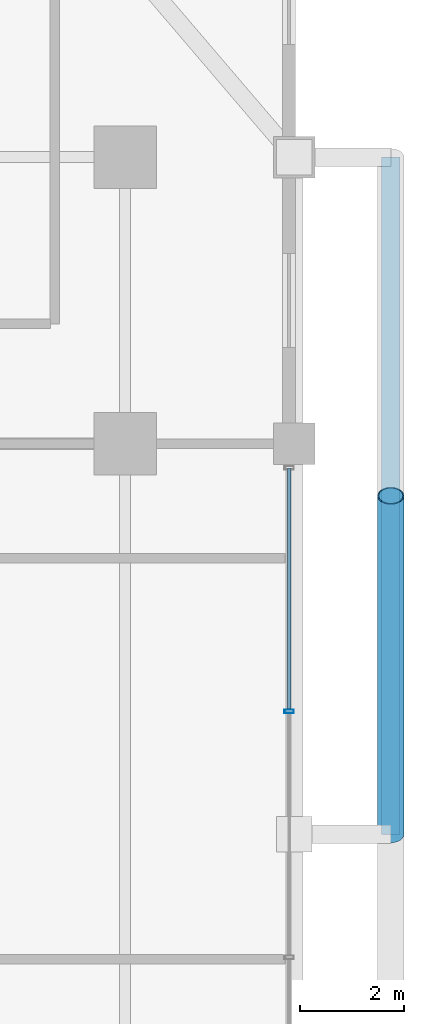
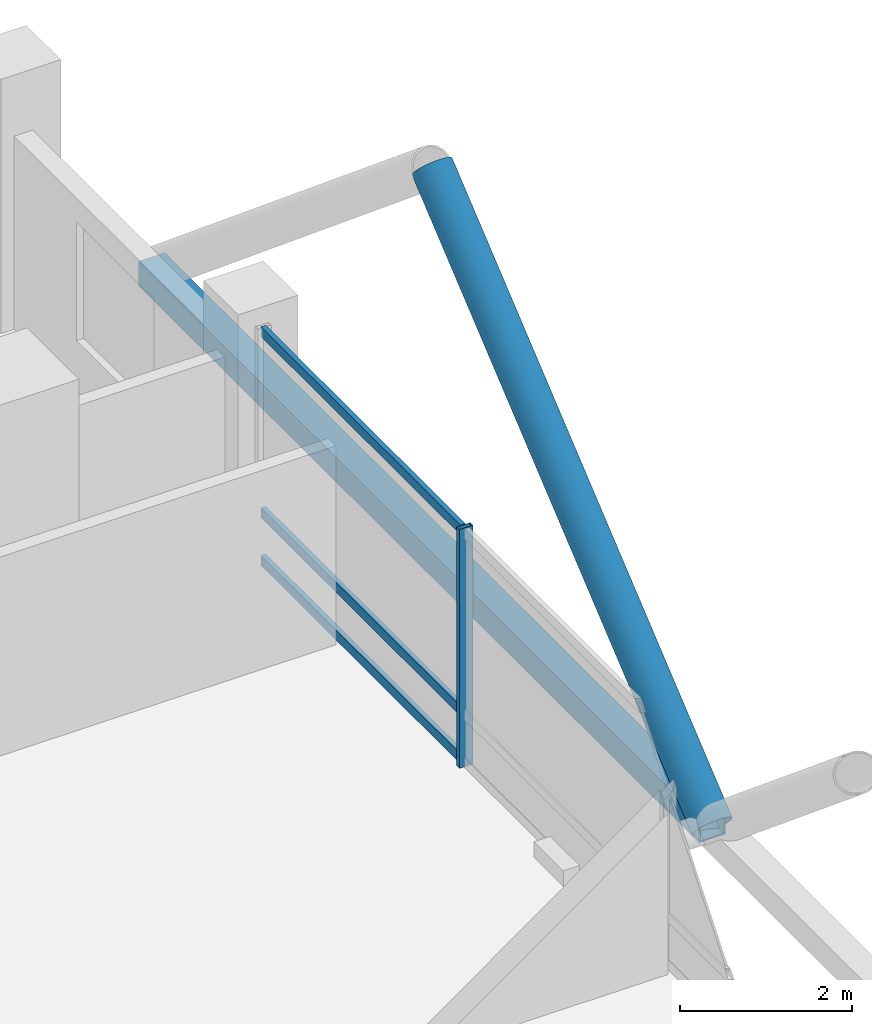
# One storey, part 11 of 25: 6 members, 1 element without a shape of its own.
"""IFC4 building model written with IfcOpenShell, lengths in metres."""

import ifcopenshell
import ifcopenshell.guid

model = None  # the IFC model being written
_history = None  # IfcOwnerHistory: only IFC2X3 demands one
_inside = {}  # id of a spatial element -> (the spatial element, [elements in it])
_under = {}  # id of a project, library or spatial element -> (it, [spatial elements below it])
_declared = {}  # id of a project -> (the project, [libraries it declares])
_typed = {}  # id of a type object -> (the type object, [elements of that type])
_made_of = {}  # id of a material, layer set ... -> (it, [elements and type objects made of it])


def new_model(schema):
    """Start an empty IFC model of exactly this schema.

    Asked for "IFC4X3", IfcOpenShell would pick the latest addendum, in which some entities
    have other attributes; the version numbers below select the first issue.
    IFC2X3 requires an IfcOwnerHistory on every rooted entity: one is made here for all.
    """
    global model, _history
    if schema == "IFC4X3":
        model = ifcopenshell.file(schema_version=(4, 3, 0, 0))
    else:
        model = ifcopenshell.file(schema=schema)
    _inside.clear()
    _under.clear()
    _declared.clear()
    _typed.clear()
    _made_of.clear()
    _history = None
    if model.schema == "IFC2X3":
        org = make("IfcOrganization", Name="unknown")
        user = make(
            "IfcPersonAndOrganization",
            ThePerson=make("IfcPerson", FamilyName="unknown"),
            TheOrganization=org,
        )
        app = make(
            "IfcApplication",
            ApplicationDeveloper=org,
            Version="unknown",
            ApplicationFullName="unknown",
            ApplicationIdentifier="unknown",
        )
        _history = make(
            "IfcOwnerHistory",
            OwningUser=user,
            OwningApplication=app,
            ChangeAction="ADDED",
            CreationDate=0,
        )
    return model


def make(cls, **values):
    """One entity of the class cls with the attributes given. An attribute that is None is left unset."""
    return model.create_entity(
        cls, **{name: value for name, value in values.items() if value is not None}
    )


def rooted(cls, **values):
    """An entity with a GlobalId (a new one), such as an element, a storey or a relation."""
    return make(cls, GlobalId=ifcopenshell.guid.new(), OwnerHistory=_history, **values)


def si_unit(unit_type, name, prefix=None):
    """IfcSIUnit, for example si_unit("LENGTHUNIT", "METRE", prefix="MILLI")."""
    return make("IfcSIUnit", UnitType=unit_type, Prefix=prefix, Name=name)


def assignment(units):
    """IfcUnitAssignment: the units of a project."""
    return None if units is None else make("IfcUnitAssignment", Units=units)


def point(xyz):
    """IfcCartesianPoint."""
    return None if xyz is None else make("IfcCartesianPoint", Coordinates=xyz)


def direction(xyz):
    """IfcDirection."""
    return None if xyz is None else make("IfcDirection", DirectionRatios=xyz)


def frame(location, z_axis=None, x_axis=None):
    """IfcAxis2Placement3D, a coordinate frame: its origin and axes. An axis left out is left unset."""
    return make(
        "IfcAxis2Placement3D",
        Location=point(location),
        Axis=direction(z_axis),
        RefDirection=direction(x_axis),
    )


def frame_2d(location, x_axis=None):
    """IfcAxis2Placement2D, a coordinate frame in the plane: its origin and x axis."""
    return make(
        "IfcAxis2Placement2D", Location=point(location), RefDirection=direction(x_axis)
    )


def origin():
    """The frame at (0, 0, 0) with its axes left unset."""
    return frame((0.0, 0.0, 0.0))


def origin_2d():
    """The frame at (0, 0) in the plane with its x axis left unset."""
    return frame_2d((0.0, 0.0))


def place(relative_to, where):
    """IfcLocalPlacement: puts the frame where relative to a parent placement (None: the world)."""
    return make(
        "IfcLocalPlacement", PlacementRelTo=relative_to, RelativePlacement=where
    )


def context(
    kind, dimensions, precision=None, world=None, true_north=None, identifier=None
):
    """IfcGeometricRepresentationContext, for example the 3D "Model" context."""
    return make(
        "IfcGeometricRepresentationContext",
        ContextIdentifier=identifier,
        ContextType=kind,
        CoordinateSpaceDimension=dimensions,
        Precision=precision,
        WorldCoordinateSystem=world,
        TrueNorth=true_north,
    )


def subcontext(parent, identifier, kind, view, scale=None):
    """IfcGeometricRepresentationSubContext, for example "Body" below "Model"."""
    return make(
        "IfcGeometricRepresentationSubContext",
        ContextIdentifier=identifier,
        ContextType=kind,
        ParentContext=parent,
        TargetScale=scale,
        TargetView=view,
    )


def project(units=None, contexts=None):
    """IfcProject with its units and contexts."""
    return rooted(
        "IfcProject",
        Name="project",
        RepresentationContexts=contexts,
        UnitsInContext=assignment(units),
    )


def spatial(cls, under=None, at=None, **own):
    """A site, building, storey or space (cls), placed at a placement, below another one or the project."""
    s = rooted(cls, ObjectPlacement=at, **own)
    if under is not None:
        _under.setdefault(under.id(), (under, []))[1].append(s)
    return s


def profile(cls, at=None, kind="AREA", **sizes):
    """A parametric profile (cls). Its sizes go by their IFC names, for example OverallWidth=200.0."""
    return make(cls, ProfileType=kind, Position=at, **sizes)


def hollow_rectangle(**sizes):
    """IfcRectangleHollowProfileDef."""
    return profile("IfcRectangleHollowProfileDef", **sizes)


def hollow_circle(**sizes):
    """IfcCircleHollowProfileDef."""
    return profile("IfcCircleHollowProfileDef", **sizes)


def extrude(swept, where, along, depth):
    """IfcExtrudedAreaSolid: the profile swept, set in the frame where, extruded along a direction by depth."""
    return make(
        "IfcExtrudedAreaSolid",
        SweptArea=swept,
        Position=where,
        ExtrudedDirection=direction(along),
        Depth=depth,
    )


def shape(context_of_items, identifier, shape_type, items):
    """IfcShapeRepresentation: the items that make up one representation, for example the "Body"."""
    return make(
        "IfcShapeRepresentation",
        ContextOfItems=context_of_items,
        RepresentationIdentifier=identifier,
        RepresentationType=shape_type,
        Items=items,
    )


def material(Name=None, Category=None):
    """IfcMaterial."""
    return make("IfcMaterial", Name=Name, Category=Category)


def layer(
    of_material, thickness, ventilated=None, Name=None, Category=None, Priority=None
):
    """IfcMaterialLayer: one layer of a wall or slab, of a material (None: an air gap)."""
    return make(
        "IfcMaterialLayer",
        Material=of_material,
        LayerThickness=thickness,
        IsVentilated=ventilated,
        Name=Name,
        Category=Category,
        Priority=Priority,
    )


def layer_set(layers, Name=None):
    """IfcMaterialLayerSet."""
    return make("IfcMaterialLayerSet", MaterialLayers=layers, LayerSetName=Name)


def material_profile(
    of_material, cross_section, Name=None, Category=None, Priority=None
):
    """IfcMaterialProfile: a cross section and its material."""
    return make(
        "IfcMaterialProfile",
        Name=Name,
        Material=of_material,
        Profile=cross_section,
        Priority=Priority,
        Category=Category,
    )


def profile_set(profiles, Name=None, composite=None):
    """IfcMaterialProfileSet."""
    return make(
        "IfcMaterialProfileSet",
        Name=Name,
        MaterialProfiles=profiles,
        CompositeProfile=composite,
    )


def made_of(thing, what):
    """Note that an element or type object is made of a material, layer set ...; save() writes the relation."""
    if what is not None:
        _made_of.setdefault(what.id(), (what, []))[1].append(thing)
    return thing


def type_object(cls, material=None, **own):
    """A type object (cls), such as IfcWallType, which elements share."""
    return made_of(rooted(cls, **own), material)


def element(
    cls,
    number,
    at=None,
    inside=None,
    cuts=None,
    type_object=None,
    material=None,
    context=None,
    identifier="Body",
    shape_type=None,
    held_by="IfcProductDefinitionShape",
    body=None,
    shapes=None,
    **own,
):
    """One element of the class cls, such as IfcWall. Its Tag is "e" and its number.

    at: its placement. inside: the storey or other place that contains it. cuts: it is an
    opening in that element (IfcRelVoidsElement). A single representation is given by context,
    identifier, shape_type and body (its items); several are given by shapes. held_by: the class
    of the entity that holds the representations. save() writes the other relations.
    """
    e = rooted(cls, Tag="e%d" % number, ObjectPlacement=at, **own)
    if body is not None:
        shapes = [shape(context, identifier, shape_type, body)]
    if shapes is not None:
        e.Representation = make(held_by, Representations=shapes)
    if inside is not None:
        _inside.setdefault(inside.id(), (inside, []))[1].append(e)
    if cuts is not None:
        rooted(
            "IfcRelVoidsElement", RelatingBuildingElement=cuts, RelatedOpeningElement=e
        )
    if type_object is not None:
        _typed.setdefault(type_object.id(), (type_object, []))[1].append(e)
    return made_of(e, material)


def aggregate(whole, parts):
    """IfcRelAggregates: a whole, such as a stair, and the parts it consists of."""
    return rooted("IfcRelAggregates", RelatingObject=whole, RelatedObjects=parts)


def save(model, path):
    """Write the relations noted so far, then the file.

    IfcRelAggregates (storeys below a building ...), IfcRelContainedInSpatialStructure (elements
    in a storey), IfcRelDefinesByType, IfcRelAssociatesMaterial and IfcRelDeclares: one each for
    every whole, place, type object, material and project.
    """
    for whole, parts in _under.values():
        aggregate(whole, parts)
    for where, things in _inside.values():
        rooted(
            "IfcRelContainedInSpatialStructure",
            RelatedElements=things,
            RelatingStructure=where,
        )
    for kind, things in _typed.values():
        rooted("IfcRelDefinesByType", RelatedObjects=things, RelatingType=kind)
    for what, things in _made_of.values():
        rooted("IfcRelAssociatesMaterial", RelatedObjects=things, RelatingMaterial=what)
    for by, libraries in _declared.values():
        rooted("IfcRelDeclares", RelatingContext=by, RelatedDefinitions=libraries)
    model.write(path)


model = new_model("IFC4")

# Units and contexts
model_context = context("Model", 3, precision=1e-05, world=origin(), true_north=direction((0.0, 1.0)))
body_context = subcontext(model_context, "Body", "Model", "MODEL_VIEW")
ifc_project = project(units=[si_unit("LENGTHUNIT", "METRE"), si_unit("AREAUNIT", "SQUARE_METRE"), si_unit("VOLUMEUNIT", "CUBIC_METRE"), si_unit("PLANEANGLEUNIT", "RADIAN"), si_unit("MASSUNIT", "GRAM", prefix="KILO")], contexts=[model_context])

# Site, building, storey
site_placement = place(None, origin())
site = spatial("IfcSite", under=ifc_project, at=site_placement, CompositionType="ELEMENT")
building_placement = place(site_placement, origin())
building = spatial("IfcBuilding", under=site, at=building_placement, Name="Barlavira Tower and Art Museum", CompositionType="ELEMENT")
storey_placement = place(building_placement, frame((0.0, 0.0, 133.199951171875)))
storey = spatial("IfcBuildingStorey", under=building, at=storey_placement, Name="L33", CompositionType="ELEMENT", Elevation=133.199951171875)

# Curtain wall, members
ifc_material_1 = material(Name="Low-iron coastal laminated glass", Category="glass")
ifc_layer = layer(ifc_material_1, 0.18994140625, Name="Low-iron coastal laminated glass")
ifc_layer_set = layer_set([ifc_layer], Name="Low-iron coastal laminated glass")
curtain_wall_type = type_object("IfcCurtainWallType", Name="Pale-Metal Unitised Curtain Wall Zone 2", PredefinedType="NOTDEFINED", material=ifc_layer_set)
curtain_wall_placement = place(storey_placement, origin())
curtain_wall = element("IfcCurtainWall", 1, at=curtain_wall_placement, inside=storey, type_object=curtain_wall_type, Name="L33 Curtain Wall CW2-L33-E-B3", PredefinedType="NOTDEFINED")
ifc_material_2 = material(Name="Pale anodised aluminium", Category="aluminium")
ifc_material_profile_1 = material_profile(ifc_material_2, hollow_rectangle(XDim=0.06494140625, YDim=0.179931640625, WallThickness=0.00390625, at=origin_2d()), Name="ALU-MULL 65x180x4")
ifc_profile_set_1 = profile_set([ifc_material_profile_1], Name="Pale anodised aluminium")
member_type_1 = type_object("IfcMemberType", Name="Curtain Wall Pale-Metal Mullion 65x180", PredefinedType="MULLION", material=ifc_profile_set_1)
member_1_placement = place(storey_placement, frame((20.14990234375, 2.360107421875, 0.0), z_axis=(0.0, 0.0, 1.0), x_axis=(0.0, 1.0, 0.0)))
member_1 = element("IfcMember", 2, at=member_1_placement, type_object=member_type_1, Name="CW2-L33-E-B3 Mullion 2", PredefinedType="MULLION", context=body_context, shape_type="SweptSolid", body=[
    extrude(hollow_rectangle(XDim=0.06494140625, YDim=0.179931640625, WallThickness=0.00390625, at=origin_2d()), origin(), (0.0, 0.0, 1.0), 3.380126953125),
])
ifc_material_profile_2 = material_profile(ifc_material_2, hollow_rectangle(XDim=0.06494140625, YDim=0.139892578125, WallThickness=0.00390625, at=origin_2d()), Name="ALU-TRAN 65x140x4")
ifc_profile_set_2 = profile_set([ifc_material_profile_2], Name="Pale anodised aluminium")
member_type_2 = type_object("IfcMemberType", Name="Curtain Wall Pale-Metal Transom 65x140", PredefinedType="USERDEFINED", material=ifc_profile_set_2)
member_2_placement = place(storey_placement, frame((20.14990234375, 2.405029296875, 0.070068359375), z_axis=(0.0, 1.0, 0.0), x_axis=(-1.0, 0.0, 0.0)))
member_2 = element("IfcMember", 3, at=member_2_placement, type_object=member_type_2, Name="CW2-L33-E-B3 Transom 2.1", ObjectType="TRANSOM", PredefinedType="USERDEFINED", context=body_context, shape_type="SweptSolid", body=[
    extrude(hollow_rectangle(XDim=0.06494140625, YDim=0.139892578125, WallThickness=0.00390625, at=origin_2d()), origin(), (0.0, 0.0, 1.0), 4.6298828125),
])
member_3_placement = place(storey_placement, frame((20.14990234375, 2.405029296875, 0.744140625), z_axis=(0.0, 1.0, 0.0), x_axis=(-1.0, 0.0, 0.0)))
member_3 = element("IfcMember", 4, at=member_3_placement, type_object=member_type_2, Name="CW2-L33-E-B3 Transom 2.2", ObjectType="TRANSOM", PredefinedType="USERDEFINED", context=body_context, shape_type="SweptSolid", body=[
    extrude(hollow_rectangle(XDim=0.06494140625, YDim=0.139892578125, WallThickness=0.00390625, at=origin_2d()), origin(), (0.0, 0.0, 1.0), 4.6298828125),
])
member_4_placement = place(storey_placement, frame((20.14990234375, 2.405029296875, 3.31005859375), z_axis=(0.0, 1.0, 0.0), x_axis=(-1.0, 0.0, 0.0)))
member_4 = element("IfcMember", 5, at=member_4_placement, type_object=member_type_2, Name="CW2-L33-E-B3 Transom 2.3", ObjectType="TRANSOM", PredefinedType="USERDEFINED", context=body_context, shape_type="SweptSolid", body=[
    extrude(hollow_rectangle(XDim=0.06494140625, YDim=0.139892578125, WallThickness=0.00390625, at=origin_2d()), origin(), (0.0, 0.0, 1.0), 4.6298828125),
])
aggregate(curtain_wall, [member_1, member_2, member_3, member_4])

# Members
ifc_material_3 = material(Name="Steel S355", Category="steel")
ifc_material_profile_3 = material_profile(ifc_material_3, hollow_circle(Radius=0.25390625, WallThickness=0.022216796875, at=origin_2d()), Name="CHS 508.0x22.2")
ifc_profile_set_3 = profile_set([ifc_material_profile_3], Name="Steel S355")
member_type_3 = type_object("IfcMemberType", Name="Pale-Metal Exoskeleton Diagrid Tube CHS 508x22 Steel S355", PredefinedType="BRACE", material=ifc_profile_set_3)
member_5_placement = place(storey_placement, frame((22.10009765625, 0.0, -0.119873046875), z_axis=(0.0, 0.769196053329, 0.639012857104), x_axis=(-1.0, 0.0, 0.0)))
element("IfcMember", 6, at=member_5_placement, inside=storey, type_object=member_type_3, Name="L33 Exoskeleton Diagrid Tube E", PredefinedType="BRACE", context=body_context, shape_type="SweptSolid", body=[
    extrude(hollow_circle(Radius=0.25390625, WallThickness=0.022216796875, at=origin_2d()), origin(), (0.0, 0.0, 1.0), 8.450439453125),
])
ifc_material_profile_4 = material_profile(ifc_material_3, hollow_rectangle(XDim=0.35009765625, YDim=0.35009765625, WallThickness=0.02001953125, at=origin_2d()), Name="SHS 350x350x20.0")
ifc_profile_set_4 = profile_set([ifc_material_profile_4], Name="Steel S355")
member_type_4 = type_object("IfcMemberType", Name="Pale-Metal Exoskeleton Ring Strut SHS 350x350x20 Steel S355", PredefinedType="STRUT", material=ifc_profile_set_4)
member_6_placement = place(storey_placement, frame((22.10009765625, 0.0, -0.119873046875), z_axis=(0.0, 1.0, 0.0), x_axis=(-1.0, 0.0, 0.0)))
element("IfcMember", 7, at=member_6_placement, inside=storey, type_object=member_type_4, Name="L33 Exoskeleton Ring Strut E", PredefinedType="STRUT", context=body_context, shape_type="SweptSolid", body=[
    extrude(hollow_rectangle(XDim=0.35009765625, YDim=0.35009765625, WallThickness=0.02001953125, at=origin_2d()), origin(), (0.0, 0.0, 1.0), 13.0),
])

save(model, "model.ifc")
